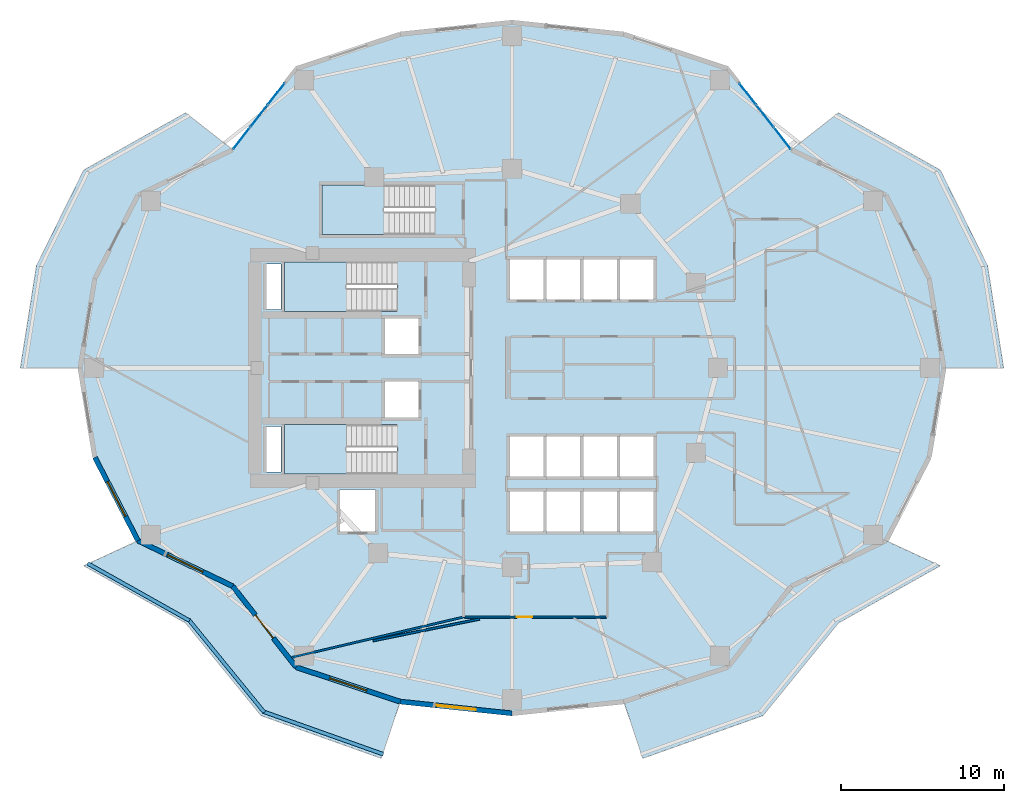
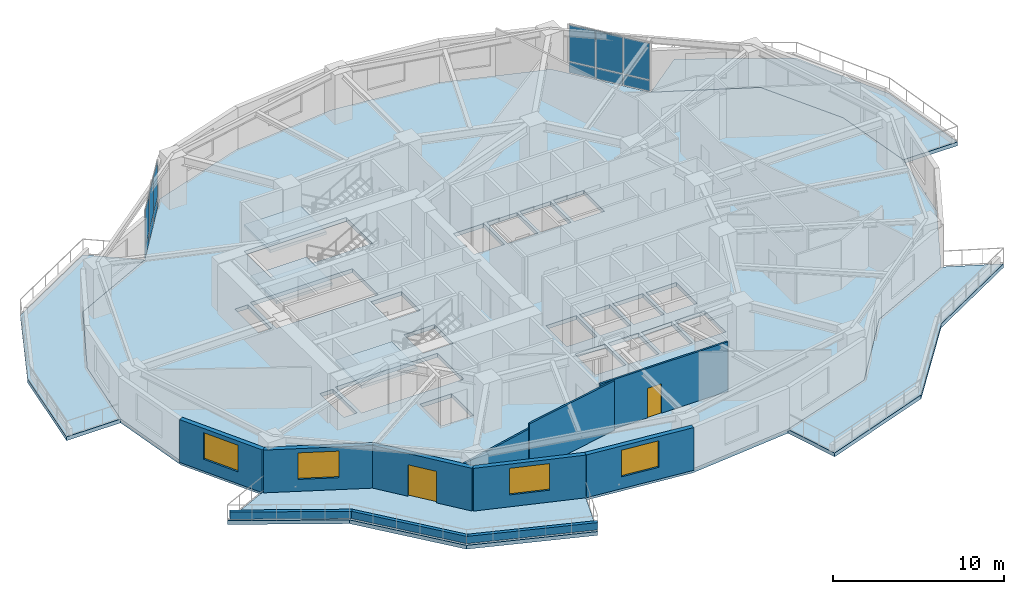
# One storey, part 4 of 12: 14 plates, 11 walls, 8 slabs, 4 windows, 2 doors, 6 openings, 5 elements without a shape of their own.
"""IFC4 building model written with IfcOpenShell, lengths in metres."""

import ifcopenshell
import ifcopenshell.guid

model = None  # the IFC model being written
_history = None  # IfcOwnerHistory: only IFC2X3 demands one
_inside = {}  # id of a spatial element -> (the spatial element, [elements in it])
_under = {}  # id of a project, library or spatial element -> (it, [spatial elements below it])
_declared = {}  # id of a project -> (the project, [libraries it declares])
_typed = {}  # id of a type object -> (the type object, [elements of that type])
_made_of = {}  # id of a material, layer set ... -> (it, [elements and type objects made of it])


def new_model(schema):
    """Start an empty IFC model of exactly this schema.

    Asked for "IFC4X3", IfcOpenShell would pick the latest addendum, in which some entities
    have other attributes; the version numbers below select the first issue.
    IFC2X3 requires an IfcOwnerHistory on every rooted entity: one is made here for all.
    """
    global model, _history
    if schema == "IFC4X3":
        model = ifcopenshell.file(schema_version=(4, 3, 0, 0))
    else:
        model = ifcopenshell.file(schema=schema)
    _inside.clear()
    _under.clear()
    _declared.clear()
    _typed.clear()
    _made_of.clear()
    _history = None
    if model.schema == "IFC2X3":
        org = make("IfcOrganization", Name="unknown")
        user = make(
            "IfcPersonAndOrganization",
            ThePerson=make("IfcPerson", FamilyName="unknown"),
            TheOrganization=org,
        )
        app = make(
            "IfcApplication",
            ApplicationDeveloper=org,
            Version="unknown",
            ApplicationFullName="unknown",
            ApplicationIdentifier="unknown",
        )
        _history = make(
            "IfcOwnerHistory",
            OwningUser=user,
            OwningApplication=app,
            ChangeAction="ADDED",
            CreationDate=0,
        )
    return model


def make(cls, **values):
    """One entity of the class cls with the attributes given. An attribute that is None is left unset."""
    return model.create_entity(
        cls, **{name: value for name, value in values.items() if value is not None}
    )


def rooted(cls, **values):
    """An entity with a GlobalId (a new one), such as an element, a storey or a relation."""
    return make(cls, GlobalId=ifcopenshell.guid.new(), OwnerHistory=_history, **values)


def si_unit(unit_type, name, prefix=None):
    """IfcSIUnit, for example si_unit("LENGTHUNIT", "METRE", prefix="MILLI")."""
    return make("IfcSIUnit", UnitType=unit_type, Prefix=prefix, Name=name)


def assignment(units):
    """IfcUnitAssignment: the units of a project."""
    return None if units is None else make("IfcUnitAssignment", Units=units)


def point(xyz):
    """IfcCartesianPoint."""
    return None if xyz is None else make("IfcCartesianPoint", Coordinates=xyz)


def direction(xyz):
    """IfcDirection."""
    return None if xyz is None else make("IfcDirection", DirectionRatios=xyz)


def frame(location, z_axis=None, x_axis=None):
    """IfcAxis2Placement3D, a coordinate frame: its origin and axes. An axis left out is left unset."""
    return make(
        "IfcAxis2Placement3D",
        Location=point(location),
        Axis=direction(z_axis),
        RefDirection=direction(x_axis),
    )


def frame_2d(location, x_axis=None):
    """IfcAxis2Placement2D, a coordinate frame in the plane: its origin and x axis."""
    return make(
        "IfcAxis2Placement2D", Location=point(location), RefDirection=direction(x_axis)
    )


def origin():
    """The frame at (0, 0, 0) with its axes left unset."""
    return frame((0.0, 0.0, 0.0))


def origin_2d():
    """The frame at (0, 0) in the plane with its x axis left unset."""
    return frame_2d((0.0, 0.0))


def place(relative_to, where):
    """IfcLocalPlacement: puts the frame where relative to a parent placement (None: the world)."""
    return make(
        "IfcLocalPlacement", PlacementRelTo=relative_to, RelativePlacement=where
    )


def context(
    kind, dimensions, precision=None, world=None, true_north=None, identifier=None
):
    """IfcGeometricRepresentationContext, for example the 3D "Model" context."""
    return make(
        "IfcGeometricRepresentationContext",
        ContextIdentifier=identifier,
        ContextType=kind,
        CoordinateSpaceDimension=dimensions,
        Precision=precision,
        WorldCoordinateSystem=world,
        TrueNorth=true_north,
    )


def subcontext(parent, identifier, kind, view, scale=None):
    """IfcGeometricRepresentationSubContext, for example "Body" below "Model"."""
    return make(
        "IfcGeometricRepresentationSubContext",
        ContextIdentifier=identifier,
        ContextType=kind,
        ParentContext=parent,
        TargetScale=scale,
        TargetView=view,
    )


def project(units=None, contexts=None):
    """IfcProject with its units and contexts."""
    return rooted(
        "IfcProject",
        Name="project",
        RepresentationContexts=contexts,
        UnitsInContext=assignment(units),
    )


def spatial(cls, under=None, at=None, **own):
    """A site, building, storey or space (cls), placed at a placement, below another one or the project."""
    s = rooted(cls, ObjectPlacement=at, **own)
    if under is not None:
        _under.setdefault(under.id(), (under, []))[1].append(s)
    return s


def polyline(points):
    """IfcPolyline through the points."""
    return make("IfcPolyline", Points=[point(p) for p in points])


def profile(cls, at=None, kind="AREA", **sizes):
    """A parametric profile (cls). Its sizes go by their IFC names, for example OverallWidth=200.0."""
    return make(cls, ProfileType=kind, Position=at, **sizes)


def rectangle(**sizes):
    """IfcRectangleProfileDef."""
    return profile("IfcRectangleProfileDef", **sizes)


def outline(outer, holes=None, kind="AREA"):
    """IfcArbitraryClosedProfileDef: a profile drawn as a closed curve; with holes, ...WithVoids."""
    if holes is None:
        return make("IfcArbitraryClosedProfileDef", ProfileType=kind, OuterCurve=outer)
    return make(
        "IfcArbitraryProfileDefWithVoids",
        ProfileType=kind,
        OuterCurve=outer,
        InnerCurves=holes,
    )


def extrude(swept, where, along, depth):
    """IfcExtrudedAreaSolid: the profile swept, set in the frame where, extruded along a direction by depth."""
    return make(
        "IfcExtrudedAreaSolid",
        SweptArea=swept,
        Position=where,
        ExtrudedDirection=direction(along),
        Depth=depth,
    )


def shape(context_of_items, identifier, shape_type, items):
    """IfcShapeRepresentation: the items that make up one representation, for example the "Body"."""
    return make(
        "IfcShapeRepresentation",
        ContextOfItems=context_of_items,
        RepresentationIdentifier=identifier,
        RepresentationType=shape_type,
        Items=items,
    )


def material(Name=None, Category=None):
    """IfcMaterial."""
    return make("IfcMaterial", Name=Name, Category=Category)


def layer(
    of_material, thickness, ventilated=None, Name=None, Category=None, Priority=None
):
    """IfcMaterialLayer: one layer of a wall or slab, of a material (None: an air gap)."""
    return make(
        "IfcMaterialLayer",
        Material=of_material,
        LayerThickness=thickness,
        IsVentilated=ventilated,
        Name=Name,
        Category=Category,
        Priority=Priority,
    )


def layer_set(layers, Name=None):
    """IfcMaterialLayerSet."""
    return make("IfcMaterialLayerSet", MaterialLayers=layers, LayerSetName=Name)


def made_of(thing, what):
    """Note that an element or type object is made of a material, layer set ...; save() writes the relation."""
    if what is not None:
        _made_of.setdefault(what.id(), (what, []))[1].append(thing)
    return thing


def type_object(cls, material=None, **own):
    """A type object (cls), such as IfcWallType, which elements share."""
    return made_of(rooted(cls, **own), material)


def element(
    cls,
    number,
    at=None,
    inside=None,
    cuts=None,
    type_object=None,
    material=None,
    context=None,
    identifier="Body",
    shape_type=None,
    held_by="IfcProductDefinitionShape",
    body=None,
    shapes=None,
    **own,
):
    """One element of the class cls, such as IfcWall. Its Tag is "e" and its number.

    at: its placement. inside: the storey or other place that contains it. cuts: it is an
    opening in that element (IfcRelVoidsElement). A single representation is given by context,
    identifier, shape_type and body (its items); several are given by shapes. held_by: the class
    of the entity that holds the representations. save() writes the other relations.
    """
    e = rooted(cls, Tag="e%d" % number, ObjectPlacement=at, **own)
    if body is not None:
        shapes = [shape(context, identifier, shape_type, body)]
    if shapes is not None:
        e.Representation = make(held_by, Representations=shapes)
    if inside is not None:
        _inside.setdefault(inside.id(), (inside, []))[1].append(e)
    if cuts is not None:
        rooted(
            "IfcRelVoidsElement", RelatingBuildingElement=cuts, RelatedOpeningElement=e
        )
    if type_object is not None:
        _typed.setdefault(type_object.id(), (type_object, []))[1].append(e)
    return made_of(e, material)


def fill(opening, filler):
    """IfcRelFillsElement: the door or window that sits in an opening."""
    return rooted(
        "IfcRelFillsElement",
        RelatingOpeningElement=opening,
        RelatedBuildingElement=filler,
    )


def aggregate(whole, parts):
    """IfcRelAggregates: a whole, such as a stair, and the parts it consists of."""
    return rooted("IfcRelAggregates", RelatingObject=whole, RelatedObjects=parts)


def save(model, path):
    """Write the relations noted so far, then the file.

    IfcRelAggregates (storeys below a building ...), IfcRelContainedInSpatialStructure (elements
    in a storey), IfcRelDefinesByType, IfcRelAssociatesMaterial and IfcRelDeclares: one each for
    every whole, place, type object, material and project.
    """
    for whole, parts in _under.values():
        aggregate(whole, parts)
    for where, things in _inside.values():
        rooted(
            "IfcRelContainedInSpatialStructure",
            RelatedElements=things,
            RelatingStructure=where,
        )
    for kind, things in _typed.values():
        rooted("IfcRelDefinesByType", RelatedObjects=things, RelatingType=kind)
    for what, things in _made_of.values():
        rooted("IfcRelAssociatesMaterial", RelatedObjects=things, RelatingMaterial=what)
    for by, libraries in _declared.values():
        rooted("IfcRelDeclares", RelatingContext=by, RelatedDefinitions=libraries)
    model.write(path)


model = new_model("IFC4")

# Units and contexts
model_context = context("Model", 3, precision=1e-05, world=origin(), true_north=direction((0.0, 1.0)))
body_context = subcontext(model_context, "Body", "Model", "MODEL_VIEW")
ifc_project = project(units=[si_unit("LENGTHUNIT", "METRE"), si_unit("AREAUNIT", "SQUARE_METRE"), si_unit("VOLUMEUNIT", "CUBIC_METRE"), si_unit("PLANEANGLEUNIT", "RADIAN"), si_unit("MASSUNIT", "GRAM", prefix="KILO")], contexts=[model_context])

# Site, building, storey
site_placement = place(None, origin())
site = spatial("IfcSite", under=ifc_project, at=site_placement, CompositionType="ELEMENT")
building_placement = place(site_placement, origin())
building = spatial("IfcBuilding", under=site, at=building_placement, Name="Kolvaren Gate Tower and Convention Centre", CompositionType="ELEMENT")
storey_placement = place(building_placement, frame((0.0, 0.0, 91.949951171875)))
storey = spatial("IfcBuildingStorey", under=building, at=storey_placement, Name="L22", CompositionType="ELEMENT", Elevation=91.949951171875)

# Plates
ifc_material_1 = material(Name="Perforated Anodized Bronze Aluminium Sheet 6 mm", Category="aluminium")
ifc_layer_1 = layer(ifc_material_1, 0.011962890625)
ifc_layer_set_1 = layer_set([ifc_layer_1], Name="Perforated Anodized Bronze Aluminium Sheet 6 mm")
plate_type_1 = type_object("IfcPlateType", Name="ARCH-PL-SCREEN-PERF", PredefinedType="SHEET", material=ifc_layer_set_1)
for number, where, z_axis, x_axis, name in (
    (1, (45.283935546875, 42.83837890625, 2.68994140625), (0.0, 0.0, 1.0), (0.616431370541, -0.787408639407, 0.0), "Tower L22 Perforated Bronze Solar Screen SS-03"),
    (2, (14.96630859375, 42.83837890625, 2.68994140625), (0.0, 0.0, 1.0), (0.61644236478, 0.787400032325, 0.0), "Tower L22 Perforated Bronze Solar Screen SS-08"),
):
    element("IfcPlate", number, at=place(storey_placement, frame(where, z_axis=z_axis, x_axis=x_axis)), inside=storey, type_object=plate_type_1, Name=name, PredefinedType="SHEET", context=body_context, shape_type="SweptSolid", body=[
        extrude(rectangle(XDim=2.60009765625, YDim=0.011962890625, at=origin_2d()), origin(), (0.0, 0.0, 1.0), 0.840087890625),
    ])

# Curtain wall, plates
ifc_material_2 = material(Name="Anodized Architectural Aluminium Alloy 6063-T6", Category="aluminium")
ifc_layer_2 = layer(ifc_material_2, 0.159912109375)
ifc_layer_set_2 = layer_set([ifc_layer_2], Name="Anodized Architectural Aluminium Alloy 6063-T6")
curtain_wall_type = type_object("IfcCurtainWallType", Name="CW-OFF-UNIT", PredefinedType="NOTDEFINED", material=ifc_layer_set_2)
curtain_wall_1_placement = place(storey_placement, origin())
curtain_wall_1 = element("IfcCurtainWall", 3, at=curtain_wall_1_placement, inside=storey, type_object=curtain_wall_type, Name="Tower L22 Unitised Curtain Wall CW-OFF-UNIT Bay 03", PredefinedType="NOTDEFINED")
ifc_material_3 = material(Name="Low-E Triple Insulated Glazing Unit 44 mm", Category="glass")
ifc_layer_3 = layer(ifc_material_3, 0.0439453125)
ifc_layer_set_3 = layer_set([ifc_layer_3], Name="Low-E Triple Insulated Glazing Unit 44 mm")
plate_type_2 = type_object("IfcPlateType", Name="CW-PL-IGU-44", PredefinedType="CURTAIN_PANEL", material=ifc_layer_set_3)
plate_1_placement = place(storey_placement, frame((44.55322265625, 43.771484375, 0.882568359375), z_axis=(0.0, 0.0, 1.0), x_axis=(0.61643432946, -0.787406322976, 0.0)))
plate_1 = element("IfcPlate", 4, at=plate_1_placement, type_object=plate_type_2, Name="CW-02 panel 1.2", PredefinedType="CURTAIN_PANEL", context=body_context, shape_type="SweptSolid", body=[
    extrude(rectangle(XDim=1.641845703125, YDim=0.0439453125, at=origin_2d()), origin(), (0.0, 0.0, 1.0), 2.58251953125),
])
plate_2_placement = place(storey_placement, frame((45.615478515625, 42.41455078125, 0.882568359375), z_axis=(0.0, 0.0, 1.0), x_axis=(0.61643432946, -0.787406322976, 0.0)))
plate_2 = element("IfcPlate", 5, at=plate_2_placement, type_object=plate_type_2, Name="CW-02 panel 2.2", PredefinedType="CURTAIN_PANEL", context=body_context, shape_type="SweptSolid", body=[
    extrude(rectangle(XDim=1.674560546875, YDim=0.0439453125, at=origin_2d()), origin(), (0.0, 0.0, 1.0), 2.58251953125),
])
plate_3_placement = place(storey_placement, frame((46.677734375, 41.0576171875, 0.882568359375), z_axis=(0.0, 0.0, 1.0), x_axis=(0.61643432946, -0.787406322976, 0.0)))
plate_3 = element("IfcPlate", 6, at=plate_3_placement, type_object=plate_type_2, Name="CW-02 panel 3.2", PredefinedType="CURTAIN_PANEL", context=body_context, shape_type="SweptSolid", body=[
    extrude(rectangle(XDim=1.641845703125, YDim=0.0439453125, at=origin_2d()), origin(), (0.0, 0.0, 1.0), 2.58251953125),
])

curtain_wall_2_placement = place(storey_placement, origin())
curtain_wall_2 = element("IfcCurtainWall", 7, at=curtain_wall_2_placement, inside=storey, type_object=curtain_wall_type, Name="Tower L22 Unitised Curtain Wall CW-OFF-UNIT Bay 08", PredefinedType="NOTDEFINED")
plate_4_placement = place(storey_placement, frame((13.572265625, 41.0576171875, 0.882568359375), z_axis=(0.0, 0.0, 1.0), x_axis=(0.616438471527, 0.787403080271, 0.0)))
plate_4 = element("IfcPlate", 8, at=plate_4_placement, type_object=plate_type_2, Name="CW-02 panel 1.2", PredefinedType="CURTAIN_PANEL", context=body_context, shape_type="SweptSolid", body=[
    extrude(rectangle(XDim=1.641845703125, YDim=0.0439453125, at=origin_2d()), origin(), (0.0, 0.0, 1.0), 2.58251953125),
])
plate_5_placement = place(storey_placement, frame((14.634521484375, 42.41455078125, 0.882568359375), z_axis=(0.0, 0.0, 1.0), x_axis=(0.616438471527, 0.787403080271, 0.0)))
plate_5 = element("IfcPlate", 9, at=plate_5_placement, type_object=plate_type_2, Name="CW-02 panel 2.2", PredefinedType="CURTAIN_PANEL", context=body_context, shape_type="SweptSolid", body=[
    extrude(rectangle(XDim=1.67431640625, YDim=0.0439453125, at=origin_2d()), origin(), (0.0, 0.0, 1.0), 2.58251953125),
])
plate_6_placement = place(storey_placement, frame((15.696533203125, 43.771240234375, 0.882568359375), z_axis=(0.0, 0.0, 1.0), x_axis=(0.616438471527, 0.787403080271, 0.0)))
plate_6 = element("IfcPlate", 10, at=plate_6_placement, type_object=plate_type_2, Name="CW-02 panel 3.2", PredefinedType="CURTAIN_PANEL", context=body_context, shape_type="SweptSolid", body=[
    extrude(rectangle(XDim=1.641845703125, YDim=0.0439453125, at=origin_2d()), origin(), (0.0, 0.0, 1.0), 2.58251953125),
])

# Plate
ifc_material_4 = material(Name="Solar-Control Laminated Curtain Glazing 36 mm", Category="glass")
ifc_layer_4 = layer(ifc_material_4, 0.035888671875)
ifc_layer_set_4 = layer_set([ifc_layer_4], Name="Solar-Control Laminated Curtain Glazing 36 mm")
plate_type_3 = type_object("IfcPlateType", Name="CW-PL-SPAN-36", PredefinedType="CURTAIN_PANEL", material=ifc_layer_set_4)
plate_7_placement = place(storey_placement, frame((44.55322265625, 43.771484375, 0.065185546875), z_axis=(0.0, 0.0, 1.0), x_axis=(0.61643432946, -0.787406322976, 0.0)))
plate_7 = element("IfcPlate", 11, at=plate_7_placement, type_object=plate_type_3, Name="CW-02 panel 1.1", PredefinedType="CURTAIN_PANEL", context=body_context, shape_type="SweptSolid", body=[
    extrude(rectangle(XDim=1.641845703125, YDim=0.035888671875, at=origin_2d()), origin(), (0.0, 0.0, 1.0), 0.75244140625),
])

plate_8_placement = place(storey_placement, frame((45.615478515625, 42.41455078125, 0.065185546875), z_axis=(0.0, 0.0, 1.0), x_axis=(0.61643432946, -0.787406322976, 0.0)))
plate_8 = element("IfcPlate", 12, at=plate_8_placement, type_object=plate_type_3, Name="CW-02 panel 2.1", PredefinedType="CURTAIN_PANEL", context=body_context, shape_type="SweptSolid", body=[
    extrude(rectangle(XDim=1.674560546875, YDim=0.035888671875, at=origin_2d()), origin(), (0.0, 0.0, 1.0), 0.75244140625),
])

plate_9_placement = place(storey_placement, frame((46.677734375, 41.0576171875, 0.065185546875), z_axis=(0.0, 0.0, 1.0), x_axis=(0.61643432946, -0.787406322976, 0.0)))
plate_9 = element("IfcPlate", 13, at=plate_9_placement, type_object=plate_type_3, Name="CW-02 panel 3.1", PredefinedType="CURTAIN_PANEL", context=body_context, shape_type="SweptSolid", body=[
    extrude(rectangle(XDim=1.641845703125, YDim=0.035888671875, at=origin_2d()), origin(), (0.0, 0.0, 1.0), 0.75244140625),
])

aggregate(curtain_wall_1, [plate_7, plate_1, plate_8, plate_2, plate_9, plate_3])

plate_10_placement = place(storey_placement, frame((13.572265625, 41.0576171875, 0.065185546875), z_axis=(0.0, 0.0, 1.0), x_axis=(0.616438471527, 0.787403080271, 0.0)))
plate_10 = element("IfcPlate", 14, at=plate_10_placement, type_object=plate_type_3, Name="CW-02 panel 1.1", PredefinedType="CURTAIN_PANEL", context=body_context, shape_type="SweptSolid", body=[
    extrude(rectangle(XDim=1.641845703125, YDim=0.035888671875, at=origin_2d()), origin(), (0.0, 0.0, 1.0), 0.75244140625),
])

plate_11_placement = place(storey_placement, frame((14.634521484375, 42.41455078125, 0.065185546875), z_axis=(0.0, 0.0, 1.0), x_axis=(0.616438471527, 0.787403080271, 0.0)))
plate_11 = element("IfcPlate", 15, at=plate_11_placement, type_object=plate_type_3, Name="CW-02 panel 2.1", PredefinedType="CURTAIN_PANEL", context=body_context, shape_type="SweptSolid", body=[
    extrude(rectangle(XDim=1.67431640625, YDim=0.035888671875, at=origin_2d()), origin(), (0.0, 0.0, 1.0), 0.75244140625),
])

plate_12_placement = place(storey_placement, frame((15.696533203125, 43.771240234375, 0.065185546875), z_axis=(0.0, 0.0, 1.0), x_axis=(0.616438471527, 0.787403080271, 0.0)))
plate_12 = element("IfcPlate", 16, at=plate_12_placement, type_object=plate_type_3, Name="CW-02 panel 3.1", PredefinedType="CURTAIN_PANEL", context=body_context, shape_type="SweptSolid", body=[
    extrude(rectangle(XDim=1.641845703125, YDim=0.035888671875, at=origin_2d()), origin(), (0.0, 0.0, 1.0), 0.75244140625),
])

aggregate(curtain_wall_2, [plate_10, plate_4, plate_11, plate_5, plate_12, plate_6])

# Slabs
ifc_material_5 = material(Name="Concrete C50/60", Category="concrete")
ifc_layer_5 = layer(ifc_material_5, 0.27001953125)
ifc_layer_set_5 = layer_set([ifc_layer_5], Name="Concrete C50/60")
slab_type_1 = type_object("IfcSlabType", Name="STR-SL-BALC-270", PredefinedType="FLOOR", material=ifc_layer_set_5)
slab_1_placement = place(storey_placement, frame((0.0, 0.0, -0.27001953125)))
element("IfcSlab", 17, at=slab_1_placement, inside=storey, type_object=slab_type_1, Name="Tower L22 Planted Balcony Terrace Slab 1 (East)", PredefinedType="FLOOR", context=body_context, shape_type="SweptSolid", body=[
    extrude(outline(polyline([(56.5625, 27.0), (55.66162109375, 32.47412109375), (53.0205078125, 37.574951171875), (47.223876953125, 40.360107421875), (50.10791015625, 42.613525390625), (56.34326171875, 39.109619140625), (59.240478515625, 33.2412109375), (60.222412109375, 27.0), (56.5625, 27.0)])), origin(), (0.0, 0.0, 1.0), 0.27001953125),
])
slab_2_placement = place(storey_placement, frame((0.0, 0.0, -0.27001953125)))
element("IfcSlab", 18, at=slab_2_placement, inside=storey, type_object=slab_type_1, Name="Tower L22 Planted Balcony Terrace Slab 2 (West)", PredefinedType="FLOOR", context=body_context, shape_type="SweptSolid", body=[
    extrude(outline(polyline([(13.026123046875, 40.360107421875), (7.2294921875, 37.574951171875), (4.58837890625, 32.47412109375), (3.6875, 27.0), (0.027587890625, 27.0), (1.009521484375, 33.2412109375), (3.90673828125, 39.109619140625), (10.14208984375, 42.613525390625), (13.026123046875, 40.360107421875)])), origin(), (0.0, 0.0, 1.0), 0.27001953125),
])
slab_3_placement = place(storey_placement, frame((0.0, 0.0, -0.27001953125)))
element("IfcSlab", 19, at=slab_3_placement, inside=storey, type_object=slab_type_1, Name="Tower L22 Planted Balcony Terrace Slab 3 (South)", PredefinedType="FLOOR", context=body_context, shape_type="SweptSolid", body=[
    extrude(outline(polyline([(7.2294921875, 16.425048828125), (13.026123046875, 13.639892578125), (16.90625, 8.68359375), (23.282470703125, 6.57080078125), (22.1201171875, 3.10009765625), (14.764404296875, 5.7158203125), (10.14208984375, 11.386474609375), (3.90673828125, 14.890380859375), (7.2294921875, 16.425048828125)])), origin(), (0.0, 0.0, 1.0), 0.27001953125),
])
slab_4_placement = place(storey_placement, frame((0.0, 0.0, -0.27001953125)))
element("IfcSlab", 20, at=slab_4_placement, inside=storey, type_object=slab_type_1, Name="Tower L22 Planted Balcony Terrace Slab 4 (South)", PredefinedType="FLOOR", context=body_context, shape_type="SweptSolid", body=[
    extrude(outline(polyline([(36.967529296875, 6.57080078125), (43.34375, 8.68359375), (47.223876953125, 13.639892578125), (53.0205078125, 16.425048828125), (56.34326171875, 14.890380859375), (50.10791015625, 11.386474609375), (45.485595703125, 5.7158203125), (38.1298828125, 3.10009765625), (36.967529296875, 6.57080078125)])), origin(), (0.0, 0.0, 1.0), 0.27001953125),
])
ifc_layer_6 = layer(ifc_material_5, 0.280029296875)
ifc_layer_set_6 = layer_set([ifc_layer_6], Name="Concrete C50/60")
slab_type_2 = type_object("IfcSlabType", Name="STR-SL-FLR-280", PredefinedType="FLOOR", material=ifc_layer_set_6)
slab_5_placement = place(storey_placement, frame((0.0, 0.0, -0.280029296875)))
element("IfcSlab", 21, at=slab_5_placement, inside=storey, type_object=slab_type_2, Name="Tower L22 Structural Floor Slab", PredefinedType="FLOOR", context=body_context, shape_type="SweptSolid", body=[
    extrude(outline(polyline([(56.5625, 27.0), (55.66162109375, 32.47412109375), (53.0205078125, 37.574951171875), (47.223876953125, 40.360107421875), (43.34375, 45.31640625), (36.967529296875, 47.42919921875), (30.125, 48.14990234375), (23.282470703125, 47.42919921875), (16.90625, 45.31640625), (13.026123046875, 40.360107421875), (7.2294921875, 37.574951171875), (4.58837890625, 32.47412109375), (3.6875, 27.0), (4.58837890625, 21.52587890625), (7.2294921875, 16.425048828125), (13.026123046875, 13.639892578125), (16.90625, 8.68359375), (23.282470703125, 6.57080078125), (30.125, 5.85009765625), (36.967529296875, 6.57080078125), (43.34375, 8.68359375), (47.223876953125, 13.639892578125), (53.0205078125, 16.425048828125), (55.66162109375, 21.52587890625), (56.5625, 27.0)]), holes=[polyline([(36.75, 33.64990234375), (38.800048828125, 33.64990234375), (38.800048828125, 31.199951171875), (36.75, 31.199951171875), (36.75, 33.64990234375)]), polyline([(36.75, 20.35009765625), (36.75, 22.800048828125), (38.800048828125, 22.800048828125), (38.800048828125, 20.35009765625), (36.75, 20.35009765625)]), polyline([(36.75, 17.0), (36.75, 19.449951171875), (38.800048828125, 19.449951171875), (38.800048828125, 17.0), (36.75, 17.0)]), polyline([(34.5, 33.64990234375), (36.550048828125, 33.64990234375), (36.550048828125, 31.199951171875), (34.5, 31.199951171875), (34.5, 33.64990234375)]), polyline([(34.5, 22.800048828125), (36.550048828125, 22.800048828125), (36.550048828125, 20.35009765625), (34.5, 20.35009765625), (34.5, 22.800048828125)]), polyline([(34.5, 17.0), (34.5, 19.449951171875), (36.550048828125, 19.449951171875), (36.550048828125, 17.0), (34.5, 17.0)]), polyline([(32.25, 31.199951171875), (32.25, 33.64990234375), (34.300048828125, 33.64990234375), (34.300048828125, 31.199951171875), (32.25, 31.199951171875)]), polyline([(32.25, 22.800048828125), (34.300048828125, 22.800048828125), (34.300048828125, 20.35009765625), (32.25, 20.35009765625), (32.25, 22.800048828125)]), polyline([(32.25, 17.0), (32.25, 19.449951171875), (34.300048828125, 19.449951171875), (34.300048828125, 17.0), (32.25, 17.0)]), polyline([(30.0, 31.199951171875), (30.0, 33.64990234375), (32.050048828125, 33.64990234375), (32.050048828125, 31.199951171875), (30.0, 31.199951171875)]), polyline([(30.0, 20.35009765625), (30.0, 22.800048828125), (32.050048828125, 22.800048828125), (32.050048828125, 20.35009765625), (30.0, 20.35009765625)]), polyline([(30.0, 17.0), (30.0, 19.449951171875), (32.050048828125, 19.449951171875), (32.050048828125, 17.0), (30.0, 17.0)]), polyline([(25.39990234375, 35.159912109375), (18.5, 35.159912109375), (18.5, 38.199951171875), (25.39990234375, 38.199951171875), (25.39990234375, 35.159912109375)]), polyline([(22.35009765625, 27.840087890625), (22.35009765625, 30.0400390625), (24.39990234375, 30.0400390625), (24.39990234375, 27.840087890625), (22.35009765625, 27.840087890625)]), polyline([(22.35009765625, 23.9599609375), (22.35009765625, 26.159912109375), (24.39990234375, 26.159912109375), (24.39990234375, 23.9599609375), (22.35009765625, 23.9599609375)]), polyline([(23.10009765625, 30.4599609375), (16.199951171875, 30.4599609375), (16.199951171875, 33.5), (23.10009765625, 33.5), (23.10009765625, 30.4599609375)]), polyline([(23.10009765625, 20.5), (16.199951171875, 20.5), (16.199951171875, 23.5400390625), (23.10009765625, 23.5400390625), (23.10009765625, 20.5)]), polyline([(19.60009765625, 17.0), (19.60009765625, 19.550048828125), (21.75, 19.550048828125), (21.75, 17.0), (19.60009765625, 17.0)]), polyline([(15.080078125, 23.419921875), (15.969970703125, 23.419921875), (15.969970703125, 20.6298828125), (15.080078125, 20.6298828125), (15.080078125, 23.419921875)]), polyline([(15.080078125, 30.580078125), (15.080078125, 33.3701171875), (15.969970703125, 33.3701171875), (15.969970703125, 30.580078125), (15.080078125, 30.580078125)])]), origin(), (0.0, 0.0, 1.0), 0.280029296875),
])

# Stair, slab
stair_type = type_object("IfcStairType", Name="STR-STAIR-CORE", PredefinedType="HALF_TURN_STAIR", material=ifc_material_5)
stair_1_placement = place(storey_placement, origin())
stair_1 = element("IfcStair", 22, at=stair_1_placement, inside=storey, type_object=stair_type, Name="L22 Tower North Exit Stair ST-T1", PredefinedType="HALF_TURN_STAIR")
ifc_layer_7 = layer(ifc_material_5, 0.199951171875)
ifc_layer_set_7 = layer_set([ifc_layer_7], Name="Concrete C50/60")
slab_type_3 = type_object("IfcSlabType", Name="STR-SL-LAND-200", PredefinedType="LANDING", material=ifc_layer_set_7)
slab_6_placement = place(storey_placement, frame((0.0, 0.0, 1.72509765625)))
slab_6 = element("IfcSlab", 23, at=slab_6_placement, type_object=slab_type_3, Name="ST-T1 landing 1", PredefinedType="LANDING", context=body_context, shape_type="SweptSolid", body=[
    extrude(outline(polyline([(20.0, 33.5), (16.199951171875, 33.5), (16.199951171875, 30.4599609375), (20.0, 30.4599609375), (20.0, 33.5)])), origin(), (0.0, 0.0, 1.0), 0.199951171875),
])
aggregate(stair_1, [slab_6])

stair_2_placement = place(storey_placement, origin())
stair_2 = element("IfcStair", 24, at=stair_2_placement, inside=storey, type_object=stair_type, Name="L22 Tower South Exit Stair ST-T2", PredefinedType="HALF_TURN_STAIR")
slab_7_placement = place(storey_placement, frame((0.0, 0.0, 1.72509765625)))
slab_7 = element("IfcSlab", 25, at=slab_7_placement, type_object=slab_type_3, Name="ST-T2 landing 1", PredefinedType="LANDING", context=body_context, shape_type="SweptSolid", body=[
    extrude(outline(polyline([(20.0, 23.5400390625), (16.199951171875, 23.5400390625), (16.199951171875, 20.5), (20.0, 20.5), (20.0, 23.5400390625)])), origin(), (0.0, 0.0, 1.0), 0.199951171875),
])
aggregate(stair_2, [slab_7])

stair_3_placement = place(storey_placement, origin())
stair_3 = element("IfcStair", 26, at=stair_3_placement, inside=storey, type_object=stair_type, Name="L22 Tower Mid-Zone Exit Stair ST-T3", PredefinedType="HALF_TURN_STAIR")
slab_8_placement = place(storey_placement, frame((0.0, 0.0, 1.72509765625)))
slab_8 = element("IfcSlab", 27, at=slab_8_placement, type_object=slab_type_3, Name="ST-T3 landing 1", PredefinedType="LANDING", context=body_context, shape_type="SweptSolid", body=[
    extrude(outline(polyline([(22.300048828125, 38.199951171875), (18.5, 38.199951171875), (18.5, 35.159912109375), (22.300048828125, 35.159912109375), (22.300048828125, 38.199951171875)])), origin(), (0.0, 0.0, 1.0), 0.199951171875),
])
aggregate(stair_3, [slab_8])

# Wall, opening, door
ifc_material_6 = material(Name="Fire-Rated Acoustic Gypsum Stud Partition", Category="gypsum")
ifc_layer_8 = layer(ifc_material_6, 0.1201171875)
ifc_layer_set_8 = layer_set([ifc_layer_8], Name="Fire-Rated Acoustic Gypsum Stud Partition")
wall_type_1 = type_object("IfcWallType", Name="ARCH-WL-PART-120", PredefinedType="PARTITIONING", material=ifc_layer_set_8)
wall_1_placement = place(storey_placement, frame((27.241943359375, 11.75, 0.0), z_axis=(0.0, 0.0, 1.0), x_axis=(1.0, 0.0, 0.0)))
wall_1 = element("IfcWall", 28, at=wall_1_placement, inside=storey, type_object=wall_type_1, Name="Interior Partition WL-L22-INT-025", PredefinedType="PARTITIONING", context=body_context, shape_type="SweptSolid", body=[
    extrude(rectangle(XDim=8.64599609375, YDim=0.1201171875, at=frame_2d((4.322998046875, 0.0))), origin(), (0.0, 0.0, 1.0), 3.530029296875),
])
opening_1_placement = place(wall_1_placement, frame((3.185546875, 0.0, 0.0)))
opening_1 = element("IfcOpeningElement", 29, at=opening_1_placement, cuts=wall_1, Name="Opening DR-01", PredefinedType="OPENING", context=body_context, shape_type="SweptSolid", body=[
    extrude(rectangle(XDim=0.949951171875, YDim=2.10009765625, at=frame_2d((0.47509765625, 1.050048828125))), frame((0.0, 0.070068359375, 0.0), z_axis=(0.0, -1.0, 0.0), x_axis=(1.0, 0.0, 0.0)), (0.0, 0.0, 1.0), 0.14013671875),
])
ifc_material_7 = material(Name="Painted Architectural Steelwork ASTM A500 Grade C 345 MPa", Category="steel")
door_type_1 = type_object("IfcDoorType", Name="ARCH-DR-RISER-950", OperationType="SINGLE_SWING_RIGHT", PredefinedType="DOOR", material=ifc_material_7)
door_1_placement = place(opening_1_placement, origin())
door_1 = element("IfcDoor", 30, at=door_1_placement, inside=storey, type_object=door_type_1, Name="Chairman Boardroom Door", OperationType="SINGLE_SWING_LEFT", OverallHeight=2.10009765625, OverallWidth=0.949951171875, PredefinedType="DOOR", context=body_context, shape_type="SweptSolid", body=[
    extrude(rectangle(XDim=0.949951171875, YDim=2.10009765625, at=frame_2d((0.47509765625, 1.050048828125))), frame((0.0, 0.02490234375, 0.0), z_axis=(0.0, -1.0, 0.0), x_axis=(1.0, 0.0, 0.0)), (0.0, 0.0, 1.0), 0.050048828125),
])
fill(opening_1, door_1)

# Walls
wall_2_placement = place(storey_placement, frame((16.6337890625, 9.278076171875, 0.0), z_axis=(0.0, 0.0, 1.0), x_axis=(0.973467827541, 0.228823925195, 0.0)))
element("IfcWall", 31, at=wall_2_placement, inside=storey, type_object=wall_type_1, Name="Interior Partition WL-L22-INT-051", PredefinedType="PARTITIONING", context=body_context, shape_type="SweptSolid", body=[
    extrude(rectangle(XDim=10.802734375, YDim=0.1201171875, at=frame_2d((5.4013671875, 0.0))), origin(), (0.0, 0.0, 1.0), 3.052978515625),
])
wall_3_placement = place(storey_placement, frame((21.631591796875, 10.298583984375, 0.0), z_axis=(0.0, 0.0, 1.0), x_axis=(0.979686821634, 0.200533616924, 0.0)))
element("IfcWall", 32, at=wall_3_placement, inside=storey, type_object=wall_type_1, Name="Interior Partition WL-L22-INT-052", PredefinedType="PARTITIONING", context=body_context, shape_type="SweptSolid", body=[
    extrude(rectangle(XDim=6.629150390625, YDim=0.1201171875, at=frame_2d((3.314453125, 0.0))), origin(), (0.0, 0.0, 1.0), 3.530029296875),
])
ifc_material_8 = material(Name="Piedmont Cream Honed Limestone Cladding", Category="masonry")
ifc_layer_9 = layer(ifc_material_8, 0.219970703125)
ifc_layer_set_9 = layer_set([ifc_layer_9], Name="Piedmont Cream Honed Limestone Cladding")
wall_type_2 = type_object("IfcWallType", Name="ARCH-WL-PLANTER-220", PredefinedType="PARAPET", material=ifc_layer_set_9)
wall_4_placement = place(storey_placement, frame((4.14697265625, 15.034423828125, 0.0), z_axis=(0.0, 0.0, 1.0), x_axis=(0.871775109335, -0.489906275468, 0.0)))
element("IfcWall", 33, at=wall_4_placement, inside=storey, type_object=wall_type_2, Name="Vertical-Forest Balcony Stone Planter Kerb PK-L22-3.1", PredefinedType="PARAPET", context=body_context, shape_type="SweptSolid", body=[
    extrude(rectangle(XDim=7.152099609375, YDim=0.219970703125, at=frame_2d((3.576171875, 0.0))), origin(), (0.0, 0.0, 1.0), 0.52001953125),
])
wall_5_placement = place(storey_placement, frame((10.335693359375, 11.588623046875, 0.0), z_axis=(0.0, 0.0, 1.0), x_axis=(0.631819273026, -0.775115737315, 0.0)))
element("IfcWall", 34, at=wall_5_placement, inside=storey, type_object=wall_type_2, Name="Vertical-Forest Balcony Stone Planter Kerb PK-L22-3.2", PredefinedType="PARAPET", context=body_context, shape_type="SweptSolid", body=[
    extrude(rectangle(XDim=7.31591796875, YDim=0.219970703125, at=frame_2d((3.657958984375, 0.0))), origin(), (0.0, 0.0, 1.0), 0.52001953125),
])
wall_6_placement = place(storey_placement, frame((14.892822265625, 5.964599609375, 0.0), z_axis=(0.0, 0.0, 1.0), x_axis=(0.942203722205, -0.335040513764, 0.0)))
element("IfcWall", 35, at=wall_6_placement, inside=storey, type_object=wall_type_2, Name="Vertical-Forest Balcony Stone Planter Kerb PK-L22-3.3", PredefinedType="PARAPET", context=body_context, shape_type="SweptSolid", body=[
    extrude(rectangle(XDim=7.80712890625, YDim=0.219970703125, at=frame_2d((3.903564453125, 0.0))), origin(), (0.0, 0.0, 1.0), 0.52001953125),
])

# Wall, opening, window
ifc_layer_10 = layer(ifc_material_8, 0.300048828125)
ifc_layer_set_10 = layer_set([ifc_layer_10], Name="Piedmont Cream Honed Limestone Cladding")
wall_type_3 = type_object("IfcWallType", Name="ARCH-WL-STONE-300", PredefinedType="SOLIDWALL", material=ifc_layer_set_10)
wall_7_placement = place(storey_placement, frame((4.58837890625, 21.52587890625, 0.0), z_axis=(0.0, 0.0, 1.0), x_axis=(0.459800981414, -0.888021991558, 0.0)))
wall_7 = element("IfcWall", 36, at=wall_7_placement, inside=storey, type_object=wall_type_3, Name="Tower L22 Honed Stone Spandrel Wall EW-13", PredefinedType="SOLIDWALL", context=body_context, shape_type="SweptSolid", body=[
    extrude(rectangle(XDim=5.744140625, YDim=0.300048828125, at=frame_2d((2.8720703125, 0.0))), origin(), (0.0, 0.0, 1.0), 3.052978515625),
])
opening_2_placement = place(wall_7_placement, frame((1.672119140625, 0.0, 0.85009765625)))
opening_2 = element("IfcOpeningElement", 37, at=opening_2_placement, cuts=wall_7, Name="Opening W-01", PredefinedType="OPENING", context=body_context, shape_type="SweptSolid", body=[
    extrude(rectangle(XDim=2.39990234375, YDim=1.89990234375, at=frame_2d((1.199951171875, 0.949951171875))), frame((0.0, 0.159912109375, 0.0), z_axis=(0.0, -1.0, 0.0), x_axis=(1.0, 0.0, 0.0)), (0.0, 0.0, 1.0), 0.320068359375),
])
window_type = type_object("IfcWindowType", Name="ARCH-WN-OFF-2400", PartitioningType="SINGLE_PANEL", PredefinedType="WINDOW", material=ifc_material_3)
window_1_placement = place(opening_2_placement, origin())
window_1 = element("IfcWindow", 38, at=window_1_placement, inside=storey, type_object=window_type, Name="Tower L22 Punched Stone Facade Window W-13", OverallHeight=1.89990234375, OverallWidth=2.39990234375, PartitioningType="SINGLE_PANEL", PredefinedType="WINDOW", context=body_context, shape_type="SweptSolid", body=[
    extrude(rectangle(XDim=2.39990234375, YDim=1.89990234375, at=frame_2d((1.199951171875, 0.949951171875))), frame((0.0, 0.030029296875, 0.0), z_axis=(0.0, -1.0, 0.0), x_axis=(1.0, 0.0, 0.0)), (0.0, 0.0, 1.0), 0.06005859375),
])
fill(opening_2, window_1)

wall_8_placement = place(storey_placement, frame((7.2294921875, 16.425048828125, 0.0), z_axis=(0.0, 0.0, 1.0), x_axis=(0.901354747727, -0.433081538224, 0.0)))
wall_8 = element("IfcWall", 39, at=wall_8_placement, inside=storey, type_object=wall_type_3, Name="Tower L22 Honed Stone Spandrel Wall EW-14", PredefinedType="SOLIDWALL", context=body_context, shape_type="SweptSolid", body=[
    extrude(rectangle(XDim=6.430908203125, YDim=0.300048828125, at=frame_2d((3.21533203125, 0.0))), origin(), (0.0, 0.0, 1.0), 3.052978515625),
])
opening_3_placement = place(wall_8_placement, frame((2.014892578125, 0.0, 0.85009765625)))
opening_3 = element("IfcOpeningElement", 40, at=opening_3_placement, cuts=wall_8, Name="Opening W-01", PredefinedType="OPENING", context=body_context, shape_type="SweptSolid", body=[
    extrude(rectangle(XDim=2.39990234375, YDim=1.89990234375, at=frame_2d((1.199951171875, 0.949951171875))), frame((0.0, 0.159912109375, 0.0), z_axis=(0.0, -1.0, 0.0), x_axis=(1.0, 0.0, 0.0)), (0.0, 0.0, 1.0), 0.320068359375),
])
window_2_placement = place(opening_3_placement, origin())
window_2 = element("IfcWindow", 41, at=window_2_placement, inside=storey, type_object=window_type, Name="Tower L22 Punched Stone Facade Window W-14", OverallHeight=1.89990234375, OverallWidth=2.39990234375, PartitioningType="SINGLE_PANEL", PredefinedType="WINDOW", context=body_context, shape_type="SweptSolid", body=[
    extrude(rectangle(XDim=2.39990234375, YDim=1.89990234375, at=frame_2d((1.199951171875, 0.949951171875))), frame((0.0, 0.030029296875, 0.0), z_axis=(0.0, -1.0, 0.0), x_axis=(1.0, 0.0, 0.0)), (0.0, 0.0, 1.0), 0.06005859375),
])
fill(opening_3, window_2)

# Wall, opening, door
wall_9_placement = place(storey_placement, frame((13.026123046875, 13.639892578125, 0.0), z_axis=(0.0, 0.0, 1.0), x_axis=(0.616434798832, -0.78740595552, 0.0)))
wall_9 = element("IfcWall", 42, at=wall_9_placement, inside=storey, type_object=wall_type_3, Name="Tower L22 Honed Stone Spandrel Wall EW-15", PredefinedType="SOLIDWALL", context=body_context, shape_type="SweptSolid", body=[
    extrude(rectangle(XDim=6.29443359375, YDim=0.300048828125, at=frame_2d((3.147216796875, 0.0))), origin(), (0.0, 0.0, 1.0), 3.052978515625),
])
opening_4_placement = place(wall_9_placement, frame((2.2470703125, 0.0, 0.0)))
opening_4 = element("IfcOpeningElement", 43, at=opening_4_placement, cuts=wall_9, Name="Opening DB-01", PredefinedType="OPENING", context=body_context, shape_type="SweptSolid", body=[
    extrude(rectangle(XDim=1.800048828125, YDim=2.25, at=frame_2d((0.89990234375, 1.125))), frame((0.0, 0.159912109375, 0.0), z_axis=(0.0, -1.0, 0.0), x_axis=(1.0, 0.0, 0.0)), (0.0, 0.0, 1.0), 0.320068359375),
])
door_type_2 = type_object("IfcDoorType", Name="ARCH-DR-BALC-1800", OperationType="SLIDING_TO_LEFT", PredefinedType="DOOR", material=ifc_material_2)
door_2_placement = place(opening_4_placement, frame((1.800048828125, 0.0, 0.0), z_axis=(0.0, 0.0, 1.0), x_axis=(-1.0, 0.0, 0.0)))
door_2 = element("IfcDoor", 44, at=door_2_placement, inside=storey, type_object=door_type_2, Name="Planted Sky Terrace Access Door DB-L22-15", OperationType="SLIDING_TO_LEFT", OverallHeight=2.25, OverallWidth=1.800048828125, PredefinedType="DOOR", context=body_context, shape_type="SweptSolid", body=[
    extrude(rectangle(XDim=1.800048828125, YDim=2.25, at=frame_2d((0.89990234375, 1.125))), frame((0.0, 0.02490234375, 0.0), z_axis=(0.0, -1.0, 0.0), x_axis=(1.0, 0.0, 0.0)), (0.0, 0.0, 1.0), 0.050048828125),
])
fill(opening_4, door_2)

# Wall, opening, window
wall_10_placement = place(storey_placement, frame((16.90625, 8.68359375, 0.0), z_axis=(0.0, 0.0, 1.0), x_axis=(0.949245153629, -0.314537181127, 0.0)))
wall_10 = element("IfcWall", 45, at=wall_10_placement, inside=storey, type_object=wall_type_3, Name="Tower L22 Honed Stone Spandrel Wall EW-16", PredefinedType="SOLIDWALL", context=body_context, shape_type="SweptSolid", body=[
    extrude(rectangle(XDim=6.717041015625, YDim=0.300048828125, at=frame_2d((3.3583984375, 0.0))), origin(), (0.0, 0.0, 1.0), 3.052978515625),
])
opening_5_placement = place(wall_10_placement, frame((2.158935546875, 0.0, 0.85009765625)))
opening_5 = element("IfcOpeningElement", 46, at=opening_5_placement, cuts=wall_10, Name="Opening W-01", PredefinedType="OPENING", context=body_context, shape_type="SweptSolid", body=[
    extrude(rectangle(XDim=2.39990234375, YDim=1.89990234375, at=frame_2d((1.199951171875, 0.949951171875))), frame((0.0, 0.159912109375, 0.0), z_axis=(0.0, -1.0, 0.0), x_axis=(1.0, 0.0, 0.0)), (0.0, 0.0, 1.0), 0.320068359375),
])
window_3_placement = place(opening_5_placement, origin())
window_3 = element("IfcWindow", 47, at=window_3_placement, inside=storey, type_object=window_type, Name="Tower L22 Punched Stone Facade Window W-16", OverallHeight=1.89990234375, OverallWidth=2.39990234375, PartitioningType="SINGLE_PANEL", PredefinedType="WINDOW", context=body_context, shape_type="SweptSolid", body=[
    extrude(rectangle(XDim=2.39990234375, YDim=1.89990234375, at=frame_2d((1.199951171875, 0.949951171875))), frame((0.0, 0.030029296875, 0.0), z_axis=(0.0, -1.0, 0.0), x_axis=(1.0, 0.0, 0.0)), (0.0, 0.0, 1.0), 0.06005859375),
])
fill(opening_5, window_3)

wall_11_placement = place(storey_placement, frame((23.282470703125, 6.57080078125, 0.0), z_axis=(0.0, 0.0, 1.0), x_axis=(0.994498840295, -0.104747585419, 0.0)))
wall_11 = element("IfcWall", 48, at=wall_11_placement, inside=storey, type_object=wall_type_3, Name="Tower L22 Honed Stone Spandrel Wall EW-17", PredefinedType="SOLIDWALL", context=body_context, shape_type="SweptSolid", body=[
    extrude(rectangle(XDim=6.88037109375, YDim=0.300048828125, at=frame_2d((3.440185546875, 0.0))), origin(), (0.0, 0.0, 1.0), 3.052978515625),
])
opening_6_placement = place(wall_11_placement, frame((2.239990234375, 0.0, 0.85009765625)))
opening_6 = element("IfcOpeningElement", 49, at=opening_6_placement, cuts=wall_11, Name="Opening W-01", PredefinedType="OPENING", context=body_context, shape_type="SweptSolid", body=[
    extrude(rectangle(XDim=2.39990234375, YDim=1.89990234375, at=frame_2d((1.199951171875, 0.949951171875))), frame((0.0, 0.159912109375, 0.0), z_axis=(0.0, -1.0, 0.0), x_axis=(1.0, 0.0, 0.0)), (0.0, 0.0, 1.0), 0.320068359375),
])
window_4_placement = place(opening_6_placement, origin())
window_4 = element("IfcWindow", 50, at=window_4_placement, inside=storey, type_object=window_type, Name="Tower L22 Punched Stone Facade Window W-17", OverallHeight=1.89990234375, OverallWidth=2.39990234375, PartitioningType="SINGLE_PANEL", PredefinedType="WINDOW", context=body_context, shape_type="SweptSolid", body=[
    extrude(rectangle(XDim=2.39990234375, YDim=1.89990234375, at=frame_2d((1.199951171875, 0.949951171875))), frame((0.0, 0.030029296875, 0.0), z_axis=(0.0, -1.0, 0.0), x_axis=(1.0, 0.0, 0.0)), (0.0, 0.0, 1.0), 0.06005859375),
])
fill(opening_6, window_4)

save(model, "model.ifc")
